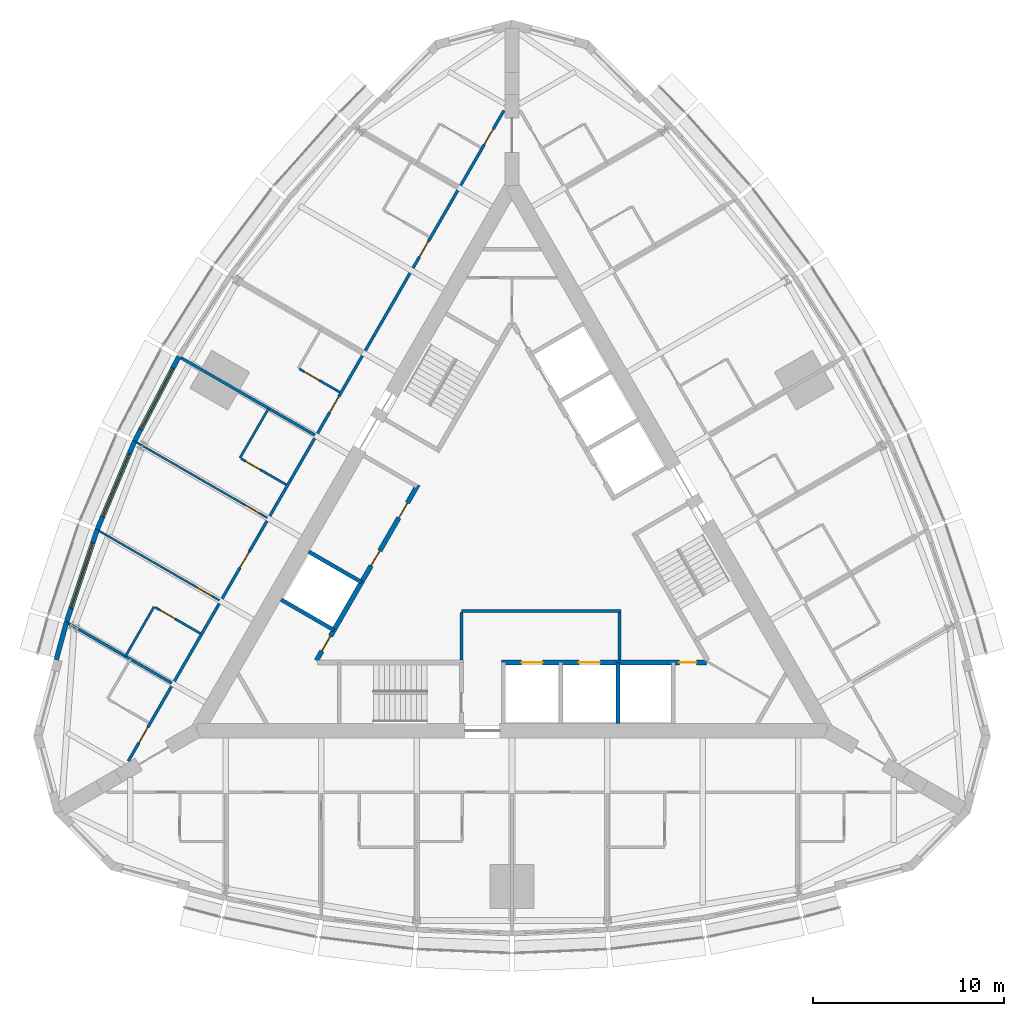
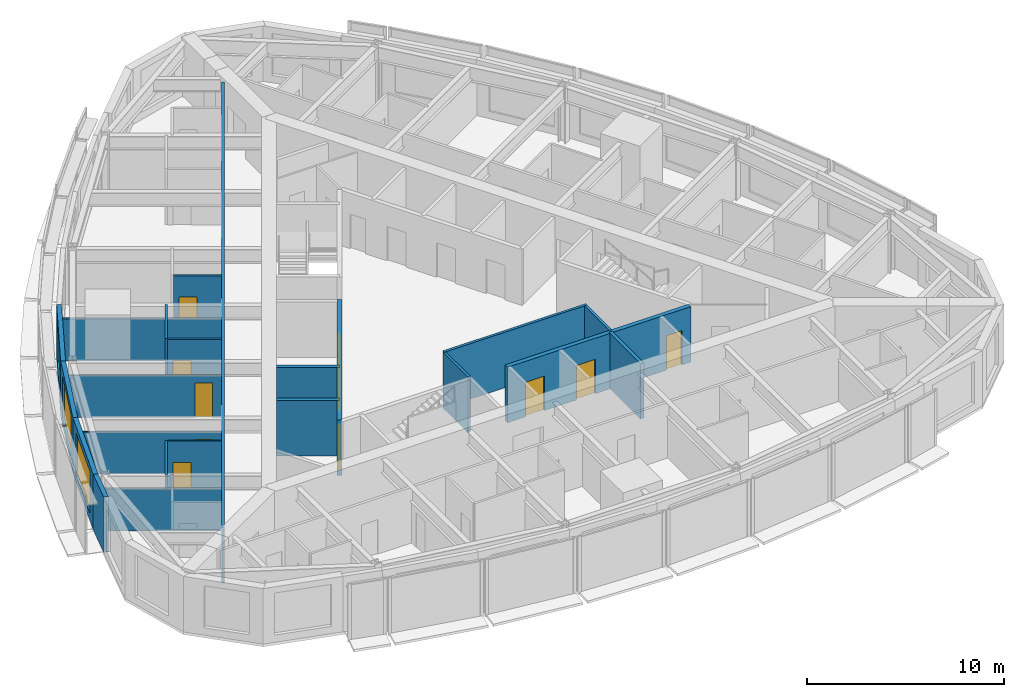
# One storey, part 10 of 15: 22 walls, 16 doors, 3 windows, 19 openings.
"""IFC4 building model written with IfcOpenShell, lengths in metres."""

from ifc_helpers import new_model, si_unit, direction, frame, frame_2d, origin, place, context, subcontext, project, spatial, rectangle, extrude, material, layer, layer_set, type_object, element, fill, save


model = new_model("IFC4")

# Units and contexts
model_context = context("Model", 3, precision=1e-05, world=origin(), true_north=direction((0.0, 1.0)))
body_context = subcontext(model_context, "Body", "Model", "MODEL_VIEW")
ifc_project = project(units=[si_unit("LENGTHUNIT", "METRE"), si_unit("AREAUNIT", "SQUARE_METRE"), si_unit("VOLUMEUNIT", "CUBIC_METRE"), si_unit("PLANEANGLEUNIT", "RADIAN"), si_unit("MASSUNIT", "GRAM", prefix="KILO")], contexts=[model_context])

# Site, building, storey
site_placement = place(None, origin())
site = spatial("IfcSite", under=ifc_project, at=site_placement, CompositionType="ELEMENT")
building_placement = place(site_placement, origin())
building = spatial("IfcBuilding", under=site, at=building_placement, Name="Trikona Tower", CompositionType="ELEMENT")
storey_placement = place(building_placement, frame((0.0, 0.0, 208.10009765625)))
storey = spatial("IfcBuildingStorey", under=building, at=storey_placement, Name="L55", CompositionType="ELEMENT", Elevation=208.10009765625)

# Wall, opening, door
ifc_material_1 = material(Name="Metal stud and cement board", Category="gypsum")
ifc_layer_1 = layer(ifc_material_1, 0.1201171875)
ifc_layer_set_1 = layer_set([ifc_layer_1], Name="Bathroom wall 120")
wall_type_1 = type_object("IfcWallType", Name="Bathroom wall 120", PredefinedType="PLUMBINGWALL", material=ifc_layer_set_1)
wall_1_placement = place(storey_placement, frame((-9.028564453125, 8.21484375, 0.0), z_axis=(0.0, 0.0, 1.0), x_axis=(-0.866023955769, 0.500002508028, 0.0)))
wall_1 = element("IfcWall", 1, at=wall_1_placement, inside=storey, type_object=wall_type_1, Name="Bathroom wall 5514", PredefinedType="PLUMBINGWALL", context=body_context, shape_type="SweptSolid", body=[
    extrude(rectangle(XDim=2.43994140625, YDim=0.1201171875, at=frame_2d((1.219970703125, 0.0))), origin(), (0.0, 0.0, 1.0), 3.434814453125),
])
opening_1_placement = place(wall_1_placement, frame((1.25, 0.0, 0.0)))
opening_1 = element("IfcOpeningElement", 2, at=opening_1_placement, cuts=wall_1, Name="Opening D2", PredefinedType="OPENING", context=body_context, shape_type="SweptSolid", body=[
    extrude(rectangle(XDim=0.89990234375, YDim=2.1298828125, at=frame_2d((0.449951171875, 1.06494140625))), frame((0.0, 0.070068359375, 0.0), z_axis=(0.0, -1.0, 0.0), x_axis=(1.0, 0.0, 0.0)), (0.0, 0.0, 1.0), 0.14013671875),
])
ifc_material_2 = material(Name="Steel door frame with solid-core timber leaf", Category="steel")
door_type_1 = type_object("IfcDoorType", Name="Bathroom door 900x2130", OperationType="SLIDING_TO_LEFT", PredefinedType="DOOR", material=ifc_material_2)
door_1_placement = place(opening_1_placement, origin())
door_1 = element("IfcDoor", 3, at=door_1_placement, inside=storey, type_object=door_type_1, Name="Bathroom door 5514", OperationType="SLIDING_TO_LEFT", OverallHeight=2.1298828125, OverallWidth=0.89990234375, PredefinedType="DOOR", context=body_context, shape_type="SweptSolid", body=[
    extrude(rectangle(XDim=0.89990234375, YDim=2.1298828125, at=frame_2d((0.449951171875, 1.06494140625))), frame((0.0, 0.02490234375, 0.0), z_axis=(0.0, -1.0, 0.0), x_axis=(1.0, 0.0, 0.0)), (0.0, 0.0, 1.0), 0.050048828125),
])
fill(opening_1, door_1)

# Wall
wall_2_placement = place(storey_placement, frame((-12.75341796875, 7.363037109375, 0.0), z_axis=(0.0, 0.0, 1.0), x_axis=(-0.50002537861, -0.866010750942, 0.0)))
element("IfcWall", 4, at=wall_2_placement, inside=storey, type_object=wall_type_1, Name="Bathroom wall 5515.1", PredefinedType="PLUMBINGWALL", context=body_context, shape_type="SweptSolid", body=[
    extrude(rectangle(XDim=2.999755859375, YDim=0.1201171875, at=frame_2d((1.5, 0.0))), origin(), (0.0, 0.0, 1.0), 3.434814453125),
])

# Wall, opening, door
wall_3_placement = place(storey_placement, frame((-11.82861328125, 3.364990234375, 0.0), z_axis=(0.0, 0.0, 1.0), x_axis=(-0.865997131366, 0.500048966069, 0.0)))
wall_3 = element("IfcWall", 5, at=wall_3_placement, inside=storey, type_object=wall_type_1, Name="Bathroom wall 5515.1", PredefinedType="PLUMBINGWALL", context=body_context, shape_type="SweptSolid", body=[
    extrude(rectangle(XDim=2.739990234375, YDim=0.1201171875, at=frame_2d((1.3701171875, 0.0))), origin(), (0.0, 0.0, 1.0), 3.434814453125),
])
opening_2_placement = place(wall_3_placement, frame((1.550048828125, 0.0, 0.0)))
opening_2 = element("IfcOpeningElement", 6, at=opening_2_placement, cuts=wall_3, Name="Opening D2", PredefinedType="OPENING", context=body_context, shape_type="SweptSolid", body=[
    extrude(rectangle(XDim=0.89990234375, YDim=2.1298828125, at=frame_2d((0.449951171875, 1.06494140625))), frame((0.0, 0.070068359375, 0.0), z_axis=(0.0, -1.0, 0.0), x_axis=(1.0, 0.0, 0.0)), (0.0, 0.0, 1.0), 0.14013671875),
])
door_2_placement = place(opening_2_placement, origin())
door_2 = element("IfcDoor", 7, at=door_2_placement, inside=storey, type_object=door_type_1, Name="Bathroom door 5515.1", OperationType="SLIDING_TO_LEFT", OverallHeight=2.1298828125, OverallWidth=0.89990234375, PredefinedType="DOOR", context=body_context, shape_type="SweptSolid", body=[
    extrude(rectangle(XDim=0.89990234375, YDim=2.1298828125, at=frame_2d((0.449951171875, 1.06494140625))), frame((0.0, 0.02490234375, 0.0), z_axis=(0.0, -1.0, 0.0), x_axis=(1.0, 0.0, 0.0)), (0.0, 0.0, 1.0), 0.050048828125),
])
fill(opening_2, door_2)

# Wall
wall_4_placement = place(storey_placement, frame((-18.75341796875, -3.029296875, 0.0), z_axis=(0.0, 0.0, 1.0), x_axis=(-0.50002537861, -0.866010750942, 0.0)))
element("IfcWall", 8, at=wall_4_placement, inside=storey, type_object=wall_type_1, Name="Bathroom wall 5515.2", PredefinedType="PLUMBINGWALL", context=body_context, shape_type="SweptSolid", body=[
    extrude(rectangle(XDim=2.999755859375, YDim=0.1201171875, at=frame_2d((1.5, 0.0))), origin(), (0.0, 0.0, 1.0), 3.434814453125),
])

# Wall, opening, door
wall_5_placement = place(storey_placement, frame((-16.32861328125, -4.42919921875, 0.0), z_axis=(0.0, 0.0, 1.0), x_axis=(-0.865997131366, 0.500048966069, 0.0)))
wall_5 = element("IfcWall", 9, at=wall_5_placement, inside=storey, type_object=wall_type_1, Name="Bathroom wall 5515.2", PredefinedType="PLUMBINGWALL", context=body_context, shape_type="SweptSolid", body=[
    extrude(rectangle(XDim=2.739990234375, YDim=0.1201171875, at=frame_2d((1.3701171875, 0.0))), origin(), (0.0, 0.0, 1.0), 3.434814453125),
])
opening_3_placement = place(wall_5_placement, frame((1.550048828125, 0.0, 0.0)))
opening_3 = element("IfcOpeningElement", 10, at=opening_3_placement, cuts=wall_5, Name="Opening D2", PredefinedType="OPENING", context=body_context, shape_type="SweptSolid", body=[
    extrude(rectangle(XDim=0.89990234375, YDim=2.1298828125, at=frame_2d((0.449951171875, 1.06494140625))), frame((0.0, 0.070068359375, 0.0), z_axis=(0.0, -1.0, 0.0), x_axis=(1.0, 0.0, 0.0)), (0.0, 0.0, 1.0), 0.14013671875),
])
door_3_placement = place(opening_3_placement, origin())
door_3 = element("IfcDoor", 11, at=door_3_placement, inside=storey, type_object=door_type_1, Name="Bathroom door 5515.2", OperationType="SLIDING_TO_LEFT", OverallHeight=2.1298828125, OverallWidth=0.89990234375, PredefinedType="DOOR", context=body_context, shape_type="SweptSolid", body=[
    extrude(rectangle(XDim=0.89990234375, YDim=2.1298828125, at=frame_2d((0.449951171875, 1.06494140625))), frame((0.0, 0.02490234375, 0.0), z_axis=(0.0, -1.0, 0.0), x_axis=(1.0, 0.0, 0.0)), (0.0, 0.0, 1.0), 0.050048828125),
])
fill(opening_3, door_3)

# Wall, openings, doors
ifc_material_3 = material(Name="Metal stud and gypsum board, 1-hour", Category="gypsum")
ifc_layer_2 = layer(ifc_material_3, 0.14990234375)
ifc_layer_set_2 = layer_set([ifc_layer_2], Name="Corridor wall 150")
wall_type_2 = type_object("IfcWallType", Name="Corridor wall 150", PredefinedType="PARTITIONING", material=ifc_layer_set_2)
wall_6_placement = place(storey_placement, frame((-0.425048828125, 22.96630859375, 0.0), z_axis=(0.0, 0.0, 1.0), x_axis=(-0.500000265775, -0.866025250339, 0.0)))
wall_6 = element("IfcWall", 12, at=wall_6_placement, inside=storey, type_object=wall_type_2, Name="Corridor wall L55-3", PredefinedType="PARTITIONING", context=body_context, shape_type="SweptSolid", body=[
    extrude(rectangle(XDim=39.35400390625, YDim=0.14990234375, at=frame_2d((19.677001953125, 0.0))), origin(), (0.0, 0.0, 1.0), 3.434814453125),
])
opening_4_placement = place(wall_6_placement, frame((1.10205078125, 0.0, 0.0)))
opening_4 = element("IfcOpeningElement", 13, at=opening_4_placement, cuts=wall_6, Name="Opening D1", PredefinedType="OPENING", context=body_context, shape_type="SweptSolid", body=[
    extrude(rectangle(XDim=0.949951171875, YDim=2.1298828125, at=frame_2d((0.47509765625, 1.06494140625))), frame((0.0, 0.0849609375, 0.0), z_axis=(0.0, -1.0, 0.0), x_axis=(1.0, 0.0, 0.0)), (0.0, 0.0, 1.0), 0.169921875),
])
opening_5_placement = place(wall_6_placement, frame((7.902099609375, 0.0, 0.0)))
opening_5 = element("IfcOpeningElement", 14, at=opening_5_placement, cuts=wall_6, Name="Opening D1", PredefinedType="OPENING", context=body_context, shape_type="SweptSolid", body=[
    extrude(rectangle(XDim=0.949951171875, YDim=2.1298828125, at=frame_2d((0.47509765625, 1.06494140625))), frame((0.0, 0.0849609375, 0.0), z_axis=(0.0, -1.0, 0.0), x_axis=(1.0, 0.0, 0.0)), (0.0, 0.0, 1.0), 0.169921875),
])
opening_6_placement = place(wall_6_placement, frame((17.302001953125, 0.0, 0.0)))
opening_6 = element("IfcOpeningElement", 15, at=opening_6_placement, cuts=wall_6, Name="Opening D1", PredefinedType="OPENING", context=body_context, shape_type="SweptSolid", body=[
    extrude(rectangle(XDim=0.949951171875, YDim=2.1298828125, at=frame_2d((0.47509765625, 1.06494140625))), frame((0.0, 0.0849609375, 0.0), z_axis=(0.0, -1.0, 0.0), x_axis=(1.0, 0.0, 0.0)), (0.0, 0.0, 1.0), 0.169921875),
])
opening_7_placement = place(wall_6_placement, frame((26.701904296875, 0.0, 0.0)))
opening_7 = element("IfcOpeningElement", 16, at=opening_7_placement, cuts=wall_6, Name="Opening D1", PredefinedType="OPENING", context=body_context, shape_type="SweptSolid", body=[
    extrude(rectangle(XDim=0.949951171875, YDim=2.1298828125, at=frame_2d((0.47509765625, 1.06494140625))), frame((0.0, 0.0849609375, 0.0), z_axis=(0.0, -1.0, 0.0), x_axis=(1.0, 0.0, 0.0)), (0.0, 0.0, 1.0), 0.169921875),
])
opening_8_placement = place(wall_6_placement, frame((37.302001953125, 0.0, 0.0)))
opening_8 = element("IfcOpeningElement", 17, at=opening_8_placement, cuts=wall_6, Name="Opening D1", PredefinedType="OPENING", context=body_context, shape_type="SweptSolid", body=[
    extrude(rectangle(XDim=0.949951171875, YDim=2.1298828125, at=frame_2d((0.47509765625, 1.06494140625))), frame((0.0, 0.0849609375, 0.0), z_axis=(0.0, -1.0, 0.0), x_axis=(1.0, 0.0, 0.0)), (0.0, 0.0, 1.0), 0.169921875),
])
ifc_material_4 = material(Name="Steel door frame with solid-core timber leaf", Category="steel")
door_type_2 = type_object("IfcDoorType", Name="Guest room door 950x2130", OperationType="SINGLE_SWING_LEFT", PredefinedType="DOOR", material=ifc_material_4)
door_4_placement = place(opening_4_placement, origin())
door_4 = element("IfcDoor", 18, at=door_4_placement, inside=storey, type_object=door_type_2, Name="Room door 5512", OperationType="SINGLE_SWING_LEFT", OverallHeight=2.1298828125, OverallWidth=0.949951171875, PredefinedType="DOOR", context=body_context, shape_type="SweptSolid", body=[
    extrude(rectangle(XDim=0.949951171875, YDim=2.1298828125, at=frame_2d((0.47509765625, 1.06494140625))), frame((0.0, 0.02490234375, 0.0), z_axis=(0.0, -1.0, 0.0), x_axis=(1.0, 0.0, 0.0)), (0.0, 0.0, 1.0), 0.050048828125),
])
fill(opening_4, door_4)
door_5_placement = place(opening_5_placement, origin())
door_5 = element("IfcDoor", 19, at=door_5_placement, inside=storey, type_object=door_type_2, Name="Room door 5513", OperationType="SINGLE_SWING_RIGHT", OverallHeight=2.1298828125, OverallWidth=0.949951171875, PredefinedType="DOOR", context=body_context, shape_type="SweptSolid", body=[
    extrude(rectangle(XDim=0.949951171875, YDim=2.1298828125, at=frame_2d((0.47509765625, 1.06494140625))), frame((0.0, 0.02490234375, 0.0), z_axis=(0.0, -1.0, 0.0), x_axis=(1.0, 0.0, 0.0)), (0.0, 0.0, 1.0), 0.050048828125),
])
fill(opening_5, door_5)
door_6_placement = place(opening_6_placement, origin())
door_6 = element("IfcDoor", 20, at=door_6_placement, inside=storey, type_object=door_type_2, Name="Room door 5514", OperationType="SINGLE_SWING_LEFT", OverallHeight=2.1298828125, OverallWidth=0.949951171875, PredefinedType="DOOR", context=body_context, shape_type="SweptSolid", body=[
    extrude(rectangle(XDim=0.949951171875, YDim=2.1298828125, at=frame_2d((0.47509765625, 1.06494140625))), frame((0.0, 0.02490234375, 0.0), z_axis=(0.0, -1.0, 0.0), x_axis=(1.0, 0.0, 0.0)), (0.0, 0.0, 1.0), 0.050048828125),
])
fill(opening_6, door_6)
door_7_placement = place(opening_7_placement, origin())
door_7 = element("IfcDoor", 21, at=door_7_placement, inside=storey, type_object=door_type_2, Name="Room door 5515", OperationType="SINGLE_SWING_RIGHT", OverallHeight=2.1298828125, OverallWidth=0.949951171875, PredefinedType="DOOR", context=body_context, shape_type="SweptSolid", body=[
    extrude(rectangle(XDim=0.949951171875, YDim=2.1298828125, at=frame_2d((0.47509765625, 1.06494140625))), frame((0.0, 0.02490234375, 0.0), z_axis=(0.0, -1.0, 0.0), x_axis=(1.0, 0.0, 0.0)), (0.0, 0.0, 1.0), 0.050048828125),
])
fill(opening_7, door_7)
door_8_placement = place(opening_8_placement, origin())
door_8 = element("IfcDoor", 22, at=door_8_placement, inside=storey, type_object=door_type_2, Name="Room door 5516", OperationType="SINGLE_SWING_RIGHT", OverallHeight=2.1298828125, OverallWidth=0.949951171875, PredefinedType="DOOR", context=body_context, shape_type="SweptSolid", body=[
    extrude(rectangle(XDim=0.949951171875, YDim=2.1298828125, at=frame_2d((0.47509765625, 1.06494140625))), frame((0.0, 0.02490234375, 0.0), z_axis=(0.0, -1.0, 0.0), x_axis=(1.0, 0.0, 0.0)), (0.0, 0.0, 1.0), 0.050048828125),
])
fill(opening_8, door_8)

ifc_material_5 = material(Name="Concrete f'c 8000 psi", Category="concrete")
ifc_layer_3 = layer(ifc_material_5, 0.25)
ifc_layer_set_3 = layer_set([ifc_layer_3], Name="Hub wall 250")
wall_type_3 = type_object("IfcWallType", Name="Hub wall 250", PredefinedType="SOLIDWALL", material=ifc_layer_set_3)
wall_7_placement = place(storey_placement, frame((-0.550048828125, -5.951416015625, 0.0), z_axis=(0.0, 0.0, 1.0), x_axis=(1.0, 0.0, 0.0)))
wall_7 = element("IfcWall", 23, at=wall_7_placement, inside=storey, type_object=wall_type_3, Name="Lift lobby wall A2", PredefinedType="SOLIDWALL", context=body_context, shape_type="SweptSolid", body=[
    extrude(rectangle(XDim=10.73291015625, YDim=0.25, at=frame_2d((5.366455078125, 0.0))), origin(), (0.0, 0.0, 1.0), 3.434814453125),
])
opening_9_placement = place(wall_7_placement, frame((9.31396484375, 0.0, 0.0)))
opening_9 = element("IfcOpeningElement", 24, at=opening_9_placement, cuts=wall_7, Name="Opening D14", PredefinedType="OPENING", context=body_context, shape_type="SweptSolid", body=[
    extrude(rectangle(XDim=0.89990234375, YDim=2.1298828125, at=frame_2d((0.449951171875, 1.06494140625))), frame((0.0, 0.135009765625, 0.0), z_axis=(0.0, -1.0, 0.0), x_axis=(1.0, 0.0, 0.0)), (0.0, 0.0, 1.0), 0.27001953125),
])
opening_10_placement = place(wall_7_placement, frame((1.050048828125, 0.0, 0.0)))
opening_10 = element("IfcOpeningElement", 25, at=opening_10_placement, cuts=wall_7, Name="Opening LD", PredefinedType="OPENING", context=body_context, shape_type="SweptSolid", body=[
    extrude(rectangle(XDim=1.10009765625, YDim=2.1298828125, at=frame_2d((0.550048828125, 1.06494140625))), frame((0.0, 0.135009765625, 0.0), z_axis=(0.0, -1.0, 0.0), x_axis=(1.0, 0.0, 0.0)), (0.0, 0.0, 1.0), 0.27001953125),
])
opening_11_placement = place(wall_7_placement, frame((4.050048828125, 0.0, 0.0)))
opening_11 = element("IfcOpeningElement", 26, at=opening_11_placement, cuts=wall_7, Name="Opening LD", PredefinedType="OPENING", context=body_context, shape_type="SweptSolid", body=[
    extrude(rectangle(XDim=1.10009765625, YDim=2.1298828125, at=frame_2d((0.550048828125, 1.06494140625))), frame((0.0, 0.135009765625, 0.0), z_axis=(0.0, -1.0, 0.0), x_axis=(1.0, 0.0, 0.0)), (0.0, 0.0, 1.0), 0.27001953125),
])
ifc_material_6 = material(Name="Stainless steel lift landing door", Category="steel")
door_type_3 = type_object("IfcDoorType", Name="Lift landing door 1100x2130", OperationType="DOUBLE_DOOR_SLIDING", PredefinedType="USERDEFINED", material=ifc_material_6)
door_9_placement = place(opening_10_placement, origin())
door_9 = element("IfcDoor", 27, at=door_9_placement, inside=storey, type_object=door_type_3, Name="Lift landing door FF1", ObjectType="LIFT LANDING DOOR", OperationType="DOUBLE_DOOR_SLIDING", OverallHeight=2.1298828125, OverallWidth=1.10009765625, PredefinedType="USERDEFINED", context=body_context, shape_type="SweptSolid", body=[
    extrude(rectangle(XDim=1.10009765625, YDim=2.1298828125, at=frame_2d((0.550048828125, 1.06494140625))), frame((0.0, 0.02490234375, 0.0), z_axis=(0.0, -1.0, 0.0), x_axis=(1.0, 0.0, 0.0)), (0.0, 0.0, 1.0), 0.050048828125),
])
fill(opening_10, door_9)
door_10_placement = place(opening_11_placement, origin())
door_10 = element("IfcDoor", 28, at=door_10_placement, inside=storey, type_object=door_type_3, Name="Lift landing door FF2", ObjectType="LIFT LANDING DOOR", OperationType="DOUBLE_DOOR_SLIDING", OverallHeight=2.1298828125, OverallWidth=1.10009765625, PredefinedType="USERDEFINED", context=body_context, shape_type="SweptSolid", body=[
    extrude(rectangle(XDim=1.10009765625, YDim=2.1298828125, at=frame_2d((0.550048828125, 1.06494140625))), frame((0.0, 0.02490234375, 0.0), z_axis=(0.0, -1.0, 0.0), x_axis=(1.0, 0.0, 0.0)), (0.0, 0.0, 1.0), 0.050048828125),
])
fill(opening_11, door_10)
ifc_material_7 = material(Name="Hollow metal door and frame", Category="steel")
door_type_4 = type_object("IfcDoorType", Name="Service room door 900x2130", OperationType="SINGLE_SWING_LEFT", PredefinedType="DOOR", material=ifc_material_7)
door_11_placement = place(opening_9_placement, origin())
door_11 = element("IfcDoor", 29, at=door_11_placement, inside=storey, type_object=door_type_4, Name="Door Ice and vending ICE", OperationType="SINGLE_SWING_RIGHT", OverallHeight=2.1298828125, OverallWidth=0.89990234375, PredefinedType="DOOR", context=body_context, shape_type="SweptSolid", body=[
    extrude(rectangle(XDim=0.89990234375, YDim=2.1298828125, at=frame_2d((0.449951171875, 1.06494140625))), frame((0.0, 0.02490234375, 0.0), z_axis=(0.0, -1.0, 0.0), x_axis=(1.0, 0.0, 0.0)), (0.0, 0.0, 1.0), 0.050048828125),
])
fill(opening_9, door_11)

wall_8_placement = place(storey_placement, frame((-4.928955078125, 3.365478515625, 0.0), z_axis=(0.0, 0.0, 1.0), x_axis=(-0.499991433582, -0.866030349552, 0.0)))
wall_8 = element("IfcWall", 30, at=wall_8_placement, inside=storey, type_object=wall_type_3, Name="Lift lobby wall C2", PredefinedType="SOLIDWALL", context=body_context, shape_type="SweptSolid", body=[
    extrude(rectangle(XDim=10.633056640625, YDim=0.25, at=frame_2d((5.31640625, 0.0))), origin(), (0.0, 0.0, 1.0), 3.434814453125),
])
opening_12_placement = place(wall_8_placement, frame((9.1640625, 0.0, 0.0)))
opening_12 = element("IfcOpeningElement", 31, at=opening_12_placement, cuts=wall_8, Name="Opening D14", PredefinedType="OPENING", context=body_context, shape_type="SweptSolid", body=[
    extrude(rectangle(XDim=0.89990234375, YDim=2.1298828125, at=frame_2d((0.449951171875, 1.06494140625))), frame((0.0, 0.135009765625, 0.0), z_axis=(0.0, -1.0, 0.0), x_axis=(1.0, 0.0, 0.0)), (0.0, 0.0, 1.0), 0.27001953125),
])
opening_13_placement = place(wall_8_placement, frame((1.10009765625, 0.0, 0.0)))
opening_13 = element("IfcOpeningElement", 32, at=opening_13_placement, cuts=wall_8, Name="Opening D14", PredefinedType="OPENING", context=body_context, shape_type="SweptSolid", body=[
    extrude(rectangle(XDim=0.89990234375, YDim=2.1298828125, at=frame_2d((0.449951171875, 1.06494140625))), frame((0.0, 0.135009765625, 0.0), z_axis=(0.0, -1.0, 0.0), x_axis=(1.0, 0.0, 0.0)), (0.0, 0.0, 1.0), 0.27001953125),
])
opening_14_placement = place(wall_8_placement, frame((4.0, 0.0, 0.0)))
opening_14 = element("IfcOpeningElement", 33, at=opening_14_placement, cuts=wall_8, Name="Opening D14", PredefinedType="OPENING", context=body_context, shape_type="SweptSolid", body=[
    extrude(rectangle(XDim=0.89990234375, YDim=2.1298828125, at=frame_2d((0.449951171875, 1.06494140625))), frame((0.0, 0.135009765625, 0.0), z_axis=(0.0, -1.0, 0.0), x_axis=(1.0, 0.0, 0.0)), (0.0, 0.0, 1.0), 0.27001953125),
])
door_12_placement = place(opening_12_placement, origin())
door_12 = element("IfcDoor", 34, at=door_12_placement, inside=storey, type_object=door_type_4, Name="Door Linen store LIN", OperationType="SINGLE_SWING_RIGHT", OverallHeight=2.1298828125, OverallWidth=0.89990234375, PredefinedType="DOOR", context=body_context, shape_type="SweptSolid", body=[
    extrude(rectangle(XDim=0.89990234375, YDim=2.1298828125, at=frame_2d((0.449951171875, 1.06494140625))), frame((0.0, 0.02490234375, 0.0), z_axis=(0.0, -1.0, 0.0), x_axis=(1.0, 0.0, 0.0)), (0.0, 0.0, 1.0), 0.050048828125),
])
fill(opening_12, door_12)
door_13_placement = place(opening_13_placement, origin())
door_13 = element("IfcDoor", 35, at=door_13_placement, inside=storey, type_object=door_type_4, Name="Door Guest pantry PAN1", OperationType="SINGLE_SWING_LEFT", OverallHeight=2.1298828125, OverallWidth=0.89990234375, PredefinedType="DOOR", context=body_context, shape_type="SweptSolid", body=[
    extrude(rectangle(XDim=0.89990234375, YDim=2.1298828125, at=frame_2d((0.449951171875, 1.06494140625))), frame((0.0, 0.02490234375, 0.0), z_axis=(0.0, -1.0, 0.0), x_axis=(1.0, 0.0, 0.0)), (0.0, 0.0, 1.0), 0.050048828125),
])
fill(opening_13, door_13)
door_14_placement = place(opening_14_placement, origin())
door_14 = element("IfcDoor", 36, at=door_14_placement, inside=storey, type_object=door_type_4, Name="Door Guest pantry PAN1", OperationType="SINGLE_SWING_RIGHT", OverallHeight=2.1298828125, OverallWidth=0.89990234375, PredefinedType="DOOR", context=body_context, shape_type="SweptSolid", body=[
    extrude(rectangle(XDim=0.89990234375, YDim=2.1298828125, at=frame_2d((0.449951171875, 1.06494140625))), frame((0.0, 0.02490234375, 0.0), z_axis=(0.0, -1.0, 0.0), x_axis=(1.0, 0.0, 0.0)), (0.0, 0.0, 1.0), 0.050048828125),
])
fill(opening_14, door_14)

# Wall, opening, window
ifc_material_8 = material(Name="Insulated precast concrete spandrel panel", Category="concrete")
ifc_layer_4 = layer(ifc_material_8, 0.25)
ifc_layer_set_4 = layer_set([ifc_layer_4], Name="Inner skin wall 250")
wall_type_4 = type_object("IfcWallType", Name="Inner skin wall 250", PredefinedType="STANDARD", material=ifc_layer_set_4)
wall_9_placement = place(storey_placement, frame((-17.450439453125, 10.080810546875, 0.0), z_axis=(0.0, 0.0, 1.0), x_axis=(-0.463976002579, -0.885847768542, 0.0)))
wall_9 = element("IfcWall", 37, at=wall_9_placement, inside=storey, type_object=wall_type_4, Name="External wall L55-28", PredefinedType="STANDARD", context=body_context, shape_type="SweptSolid", body=[
    extrude(rectangle(XDim=5.004150390625, YDim=0.25, at=frame_2d((2.501953125, 0.0))), origin(), (0.0, 0.0, 1.0), 3.434814453125),
])
opening_15_placement = place(wall_9_placement, frame((0.7021484375, 0.0, 0.449951171875)))
opening_15 = element("IfcOpeningElement", 38, at=opening_15_placement, cuts=wall_9, Name="Opening W3626", PredefinedType="OPENING", context=body_context, shape_type="SweptSolid", body=[
    extrude(rectangle(XDim=3.60009765625, YDim=2.60009765625, at=frame_2d((1.800048828125, 1.300048828125))), frame((0.0, 0.135009765625, 0.0), z_axis=(0.0, -1.0, 0.0), x_axis=(1.0, 0.0, 0.0)), (0.0, 0.0, 1.0), 0.27001953125),
])
ifc_material_9 = material(Name="Aluminium-framed double glazing", Category="aluminium")
window_type = type_object("IfcWindowType", Name="Window 3600x2600", PartitioningType="SINGLE_PANEL", PredefinedType="WINDOW", material=ifc_material_9)
window_1_placement = place(opening_15_placement, origin())
window_1 = element("IfcWindow", 39, at=window_1_placement, inside=storey, type_object=window_type, Name="Window 5515.1", OverallHeight=2.60009765625, OverallWidth=3.60009765625, PartitioningType="SINGLE_PANEL", PredefinedType="WINDOW", context=body_context, shape_type="SweptSolid", body=[
    extrude(rectangle(XDim=3.60009765625, YDim=2.60009765625, at=frame_2d((1.800048828125, 1.300048828125))), frame((0.0, 0.030029296875, 0.0), z_axis=(0.0, -1.0, 0.0), x_axis=(1.0, 0.0, 0.0)), (0.0, 0.0, 1.0), 0.06005859375),
])
fill(opening_15, window_1)

wall_10_placement = place(storey_placement, frame((-19.767578125, 5.656982421875, 0.0), z_axis=(0.0, 0.0, 1.0), x_axis=(-0.390096809471, -0.920773848044, 0.0)))
wall_10 = element("IfcWall", 40, at=wall_10_placement, inside=storey, type_object=wall_type_4, Name="External wall L55-29", PredefinedType="STANDARD", context=body_context, shape_type="SweptSolid", body=[
    extrude(rectangle(XDim=5.0380859375, YDim=0.25, at=frame_2d((2.51904296875, 0.0))), origin(), (0.0, 0.0, 1.0), 3.434814453125),
])
opening_16_placement = place(wall_10_placement, frame((0.718994140625, 0.0, 0.449951171875)))
opening_16 = element("IfcOpeningElement", 41, at=opening_16_placement, cuts=wall_10, Name="Opening W3626", PredefinedType="OPENING", context=body_context, shape_type="SweptSolid", body=[
    extrude(rectangle(XDim=3.60009765625, YDim=2.60009765625, at=frame_2d((1.800048828125, 1.300048828125))), frame((0.0, 0.135009765625, 0.0), z_axis=(0.0, -1.0, 0.0), x_axis=(1.0, 0.0, 0.0)), (0.0, 0.0, 1.0), 0.27001953125),
])
window_2_placement = place(opening_16_placement, origin())
window_2 = element("IfcWindow", 42, at=window_2_placement, inside=storey, type_object=window_type, Name="Window 5515", OverallHeight=2.60009765625, OverallWidth=3.60009765625, PartitioningType="SINGLE_PANEL", PredefinedType="WINDOW", context=body_context, shape_type="SweptSolid", body=[
    extrude(rectangle(XDim=3.60009765625, YDim=2.60009765625, at=frame_2d((1.800048828125, 1.300048828125))), frame((0.0, 0.030029296875, 0.0), z_axis=(0.0, -1.0, 0.0), x_axis=(1.0, 0.0, 0.0)), (0.0, 0.0, 1.0), 0.06005859375),
])
fill(opening_16, window_2)

wall_11_placement = place(storey_placement, frame((-21.729248046875, 1.027587890625, 0.0), z_axis=(0.0, 0.0, 1.0), x_axis=(-0.315108478109, -0.949055660656, 0.0)))
wall_11 = element("IfcWall", 43, at=wall_11_placement, inside=storey, type_object=wall_type_4, Name="External wall L55-30", PredefinedType="STANDARD", context=body_context, shape_type="SweptSolid", body=[
    extrude(rectangle(XDim=5.10498046875, YDim=0.25, at=frame_2d((2.552490234375, 0.0))), origin(), (0.0, 0.0, 1.0), 3.434814453125),
])
opening_17_placement = place(wall_11_placement, frame((0.75244140625, 0.0, 0.449951171875)))
opening_17 = element("IfcOpeningElement", 44, at=opening_17_placement, cuts=wall_11, Name="Opening W3626", PredefinedType="OPENING", context=body_context, shape_type="SweptSolid", body=[
    extrude(rectangle(XDim=3.60009765625, YDim=2.60009765625, at=frame_2d((1.800048828125, 1.300048828125))), frame((0.0, 0.135009765625, 0.0), z_axis=(0.0, -1.0, 0.0), x_axis=(1.0, 0.0, 0.0)), (0.0, 0.0, 1.0), 0.27001953125),
])
window_3_placement = place(opening_17_placement, origin())
window_3 = element("IfcWindow", 45, at=window_3_placement, inside=storey, type_object=window_type, Name="Window 5515.2", OverallHeight=2.60009765625, OverallWidth=3.60009765625, PartitioningType="SINGLE_PANEL", PredefinedType="WINDOW", context=body_context, shape_type="SweptSolid", body=[
    extrude(rectangle(XDim=3.60009765625, YDim=2.60009765625, at=frame_2d((1.800048828125, 1.300048828125))), frame((0.0, 0.030029296875, 0.0), z_axis=(0.0, -1.0, 0.0), x_axis=(1.0, 0.0, 0.0)), (0.0, 0.0, 1.0), 0.06005859375),
])
fill(opening_17, window_3)

# Walls
wall_12_placement = place(storey_placement, frame((-23.335693359375, -3.810791015625, 0.0), z_axis=(0.0, 0.0, 1.0), x_axis=(-0.262867703986, -0.964831887015, 0.0)))
element("IfcWall", 46, at=wall_12_placement, inside=storey, type_object=wall_type_4, Name="External wall L55-31", PredefinedType="STANDARD", context=body_context, shape_type="SweptSolid", body=[
    extrude(rectangle(XDim=2.068359375, YDim=0.25, at=frame_2d((1.0341796875, 0.0))), origin(), (0.0, 0.0, 1.0), 3.434814453125),
])
ifc_material_10 = material(Name="Metal stud and gypsum board, 2-hour shaft wall", Category="gypsum")
ifc_layer_5 = layer(ifc_material_10, 0.14990234375)
ifc_layer_set_5 = layer_set([ifc_layer_5], Name="Lobby wall 150")
wall_type_5 = type_object("IfcWallType", Name="Lobby wall 150", PredefinedType="PARTITIONING", material=ifc_layer_set_5)
wall_13_placement = place(storey_placement, frame((-2.64990234375, -3.251220703125, 0.0), z_axis=(0.0, 0.0, 1.0), x_axis=(1.0, 0.0, 0.0)))
element("IfcWall", 47, at=wall_13_placement, inside=storey, type_object=wall_type_5, Name="Fire service lift lobby wall 1", PredefinedType="PARTITIONING", context=body_context, shape_type="SweptSolid", body=[
    extrude(rectangle(XDim=8.349853515625, YDim=0.14990234375, at=frame_2d((4.1748046875, 0.0))), origin(), (0.0, 0.0, 1.0), 3.434814453125),
])
for number, where, z_axis, x_axis, name in (
    (48, (-2.64990234375, -5.826416015625, 0.0), (0.0, 0.0, 1.0), (0.0, 1.0, 0.0), "Fire service lift lobby wall 2"),
    (49, (5.625, -5.826416015625, 0.0), (0.0, 0.0, 1.0), (0.0, 1.0, 0.0), "Fire service lift lobby wall 3"),
):
    element("IfcWall", number, at=place(storey_placement, frame(where, z_axis=z_axis, x_axis=x_axis)), inside=storey, type_object=wall_type_5, Name=name, PredefinedType="PARTITIONING", context=body_context, shape_type="SweptSolid", body=[
        extrude(rectangle(XDim=2.5, YDim=0.14990234375, at=frame_2d((1.25, 0.0))), origin(), (0.0, 0.0, 1.0), 3.434814453125),
    ])
ifc_material_11 = material(Name="Metal stud and gypsum board, 1-hour acoustic", Category="gypsum")
ifc_layer_6 = layer(ifc_material_11, 0.14990234375)
ifc_layer_set_6 = layer_set([ifc_layer_6], Name="Party wall 150")
wall_type_6 = type_object("IfcWallType", Name="Party wall 150", PredefinedType="PARTITIONING", material=ifc_layer_set_6)
wall_14_placement = place(storey_placement, frame((-10.32861328125, 5.963134765625, 0.0), z_axis=(0.0, 0.0, 1.0), x_axis=(-0.866016460812, 0.500015489362, 0.0)))
element("IfcWall", 50, at=wall_14_placement, inside=storey, type_object=wall_type_6, Name="Partition L55 F3 u0", PredefinedType="PARTITIONING", context=body_context, shape_type="SweptSolid", body=[
    extrude(rectangle(XDim=8.101318359375, YDim=0.14990234375, at=frame_2d((4.05078125, 0.0))), origin(), (0.0, 0.0, 1.0), 2.589111328125),
])
wall_15_placement = place(storey_placement, frame((-17.82861328125, -7.027099609375, 0.0), z_axis=(0.0, 0.0, 1.0), x_axis=(-0.866026604282, 0.499997920671, 0.0)))
element("IfcWall", 51, at=wall_15_placement, inside=storey, type_object=wall_type_6, Name="Partition L55 F3 u15", PredefinedType="PARTITIONING", context=body_context, shape_type="SweptSolid", body=[
    extrude(rectangle(XDim=6.23974609375, YDim=0.14990234375, at=frame_2d((3.119873046875, 0.0))), origin(), (0.0, 0.0, 1.0), 2.589111328125),
])
ifc_material_12 = material(Name="Concrete f'c 8000 psi", Category="concrete")
ifc_layer_7 = layer(ifc_material_12, 0.199951171875)
ifc_layer_set_7 = layer_set([ifc_layer_7], Name="Shaft wall 200")
wall_type_7 = type_object("IfcWallType", Name="Shaft wall 200", PredefinedType="SOLIDWALL", material=ifc_layer_set_7)
for number, where, z_axis, x_axis, name in (
    (52, (5.550048828125, -5.951416015625, 0.0), (0.0, 0.0, 1.0), (0.0, -1.0, 0.0), "Shaft wall A5"),
    (53, (-7.87890625, -1.744140625, 0.0), (0.0, 0.0, 1.0), (-0.866042017984, 0.499971222258, 0.0), "Shaft wall C5"),
):
    element("IfcWall", number, at=place(storey_placement, frame(where, z_axis=z_axis, x_axis=x_axis)), inside=storey, type_object=wall_type_7, Name=name, PredefinedType="SOLIDWALL", context=body_context, shape_type="SweptSolid", body=[
        extrude(rectangle(XDim=3.199951171875, YDim=0.199951171875, at=frame_2d((1.60009765625, 0.0))), origin(), (0.0, 0.0, 1.0), 3.434814453125),
    ])
wall_16_placement = place(storey_placement, frame((-9.3291015625, -4.255615234375, 0.0), z_axis=(0.0, 0.0, 1.0), x_axis=(-0.866022944154, 0.50000426018, 0.0)))
element("IfcWall", 54, at=wall_16_placement, inside=storey, type_object=wall_type_7, Name="Shaft wall C6", PredefinedType="SOLIDWALL", context=body_context, shape_type="SweptSolid", body=[
    extrude(rectangle(XDim=3.19970703125, YDim=0.199951171875, at=frame_2d((1.599853515625, 0.0))), origin(), (0.0, 0.0, 1.0), 3.434814453125),
])

# Wall, opening, door
ifc_material_13 = material(Name="Metal stud and gypsum board, acoustic", Category="gypsum")
ifc_layer_8 = layer(ifc_material_13, 0.10009765625)
ifc_layer_set_8 = layer_set([ifc_layer_8], Name="Suite partition 100")
wall_type_8 = type_object("IfcWallType", Name="Suite partition 100", PredefinedType="PARTITIONING", material=ifc_layer_set_8)
wall_17_placement = place(storey_placement, frame((-12.82861328125, 1.633056640625, 0.0), z_axis=(0.0, 0.0, 1.0), x_axis=(-0.866030558329, 0.49999107196, 0.0)))
wall_17 = element("IfcWall", 55, at=wall_17_placement, inside=storey, type_object=wall_type_8, Name="Suite partition L55 F3 u5", PredefinedType="PARTITIONING", context=body_context, shape_type="SweptSolid", body=[
    extrude(rectangle(XDim=7.893798828125, YDim=0.10009765625, at=frame_2d((3.94677734375, 0.0))), origin(), (0.0, 0.0, 1.0), 2.589111328125),
])
opening_18_placement = place(wall_17_placement, frame((0.449951171875, 0.0, 0.0)))
opening_18 = element("IfcOpeningElement", 56, at=opening_18_placement, cuts=wall_17, Name="Opening D13", PredefinedType="OPENING", context=body_context, shape_type="SweptSolid", body=[
    extrude(rectangle(XDim=0.89990234375, YDim=2.1298828125, at=frame_2d((0.449951171875, 1.06494140625))), frame((0.0, 0.06005859375, 0.0), z_axis=(0.0, -1.0, 0.0), x_axis=(1.0, 0.0, 0.0)), (0.0, 0.0, 1.0), 0.1201171875),
])
ifc_material_14 = material(Name="Steel door frame with solid-core timber leaf", Category="steel")
door_type_5 = type_object("IfcDoorType", Name="Suite door 900x2130", OperationType="SINGLE_SWING_LEFT", PredefinedType="DOOR", material=ifc_material_14)
door_15_placement = place(opening_18_placement, origin())
door_15 = element("IfcDoor", 57, at=door_15_placement, inside=storey, type_object=door_type_5, Name="Suite door 5515", OperationType="SINGLE_SWING_LEFT", OverallHeight=2.1298828125, OverallWidth=0.89990234375, PredefinedType="DOOR", context=body_context, shape_type="SweptSolid", body=[
    extrude(rectangle(XDim=0.89990234375, YDim=2.1298828125, at=frame_2d((0.449951171875, 1.06494140625))), frame((0.0, 0.02490234375, 0.0), z_axis=(0.0, -1.0, 0.0), x_axis=(1.0, 0.0, 0.0)), (0.0, 0.0, 1.0), 0.050048828125),
])
fill(opening_18, door_15)

wall_18_placement = place(storey_placement, frame((-15.32861328125, -2.697021484375, 0.0), z_axis=(0.0, 0.0, 1.0), x_axis=(-0.866032413668, 0.499987858329, 0.0)))
wall_18 = element("IfcWall", 58, at=wall_18_placement, inside=storey, type_object=wall_type_8, Name="Suite partition L55 F3 u10", PredefinedType="PARTITIONING", context=body_context, shape_type="SweptSolid", body=[
    extrude(rectangle(XDim=7.272705078125, YDim=0.10009765625, at=frame_2d((3.63623046875, 0.0))), origin(), (0.0, 0.0, 1.0), 2.589111328125),
])
opening_19_placement = place(wall_18_placement, frame((0.449951171875, 0.0, 0.0)))
opening_19 = element("IfcOpeningElement", 59, at=opening_19_placement, cuts=wall_18, Name="Opening D13", PredefinedType="OPENING", context=body_context, shape_type="SweptSolid", body=[
    extrude(rectangle(XDim=0.89990234375, YDim=2.1298828125, at=frame_2d((0.449951171875, 1.06494140625))), frame((0.0, 0.06005859375, 0.0), z_axis=(0.0, -1.0, 0.0), x_axis=(1.0, 0.0, 0.0)), (0.0, 0.0, 1.0), 0.1201171875),
])
door_16_placement = place(opening_19_placement, origin())
door_16 = element("IfcDoor", 60, at=door_16_placement, inside=storey, type_object=door_type_5, Name="Suite door 5515", OperationType="SINGLE_SWING_LEFT", OverallHeight=2.1298828125, OverallWidth=0.89990234375, PredefinedType="DOOR", context=body_context, shape_type="SweptSolid", body=[
    extrude(rectangle(XDim=0.89990234375, YDim=2.1298828125, at=frame_2d((0.449951171875, 1.06494140625))), frame((0.0, 0.02490234375, 0.0), z_axis=(0.0, -1.0, 0.0), x_axis=(1.0, 0.0, 0.0)), (0.0, 0.0, 1.0), 0.050048828125),
])
fill(opening_19, door_16)

save(model, "model.ifc")
